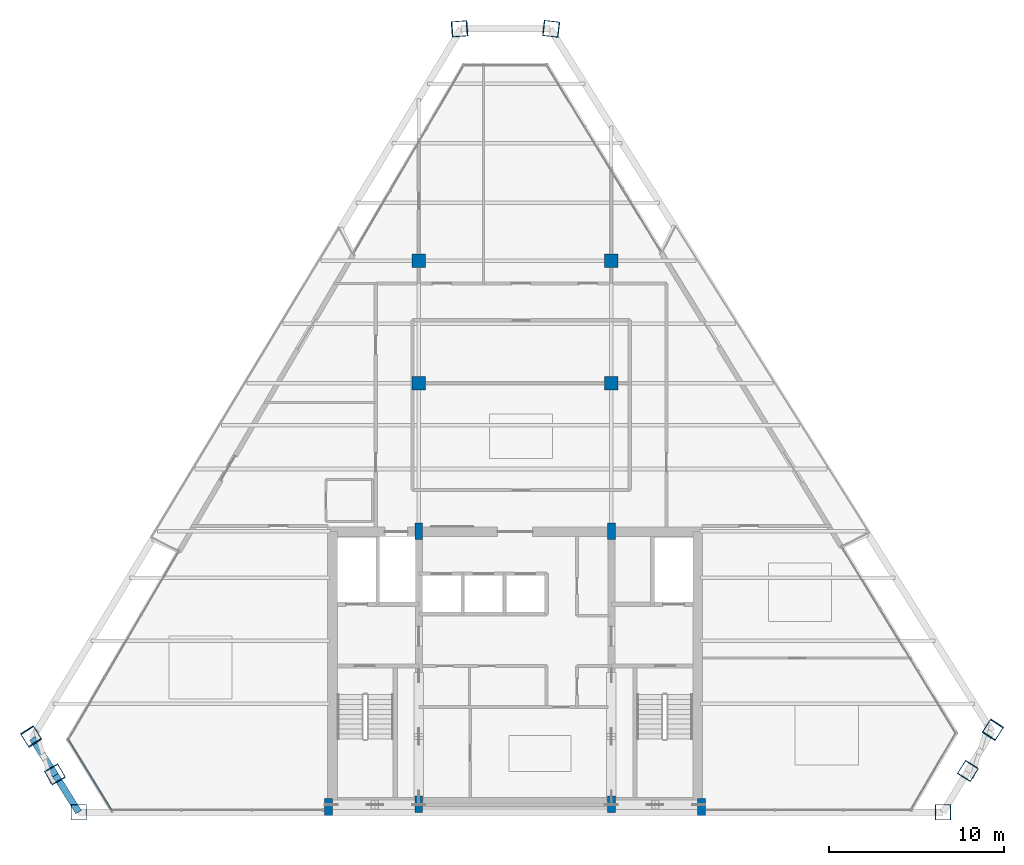
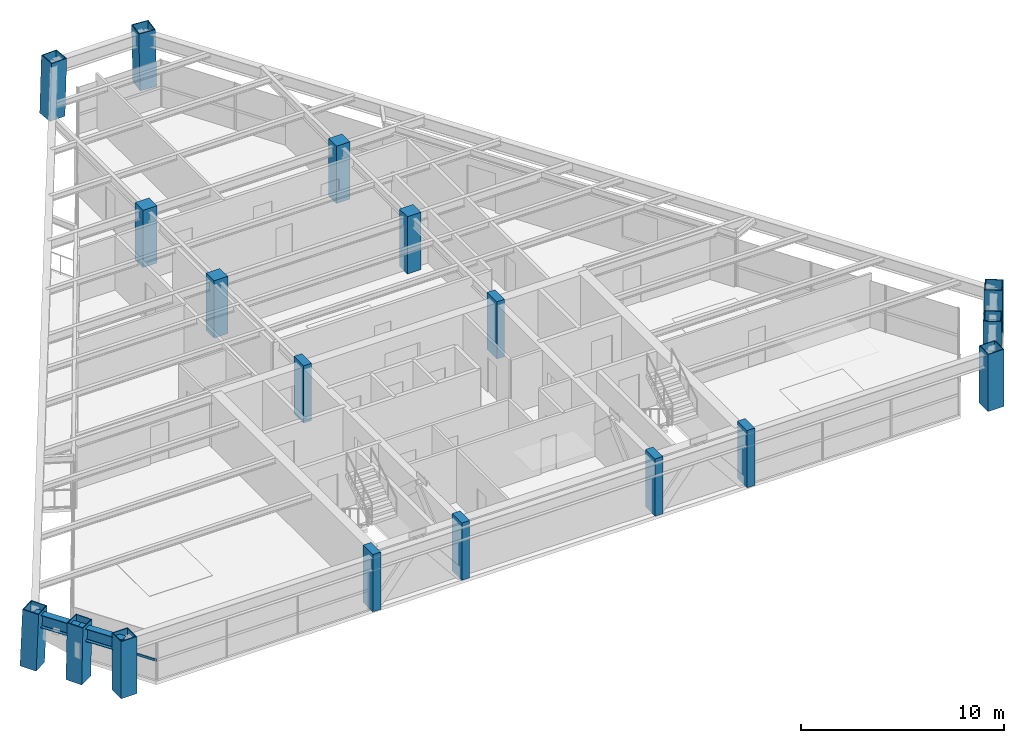
# One storey, part 1 of 13: 18 columns, 2 beams, 1 member, 1 element without a shape of its own.
"""IFC4 building model written with IfcOpenShell, lengths in metres."""

from ifc_helpers import new_model, si_unit, direction, frame, origin, origin_2d, place, context, subcontext, project, spatial, rectangle, hollow_rectangle, i_section, extrude, source, transform, mapped, material, material_profile, profile_set, type_object, element, aggregate, save


model = new_model("IFC4")

# Units and contexts
model_context = context("Model", 3, precision=1e-05, world=origin(), true_north=direction((0.0, 1.0)))
body_context = subcontext(model_context, "Body", "Model", "MODEL_VIEW")
ifc_project = project(units=[si_unit("LENGTHUNIT", "METRE"), si_unit("AREAUNIT", "SQUARE_METRE"), si_unit("VOLUMEUNIT", "CUBIC_METRE"), si_unit("PLANEANGLEUNIT", "RADIAN"), si_unit("MASSUNIT", "GRAM", prefix="KILO")], contexts=[model_context])

# Site, building, storey
site_placement = place(None, origin())
site = spatial("IfcSite", under=ifc_project, at=site_placement, CompositionType="ELEMENT")
building_placement = place(site_placement, origin())
building = spatial("IfcBuilding", under=site, at=building_placement, Name="Varnakhor Terracotta Tower", CompositionType="ELEMENT")
storey_placement = place(building_placement, frame((0.0, 0.0, 247.60009765625)))
storey = spatial("IfcBuildingStorey", under=building, at=storey_placement, Name="L64", CompositionType="ELEMENT", Elevation=247.60009765625)

# Columns
ifc_material_1 = material(Name="Concrete C50/60", Category="concrete")
ifc_material_profile_1 = material_profile(ifc_material_1, rectangle(XDim=0.449951171875, YDim=0.949951171875, at=origin_2d()), Name="RC PILASTER 950x450")
ifc_profile_set_1 = profile_set([ifc_material_profile_1], Name="Concrete C50/60")
column_type_1 = type_object("IfcColumnType", Name="COL-PIL-950x450", PredefinedType="PILASTER", material=ifc_profile_set_1)
shared_shape_1 = source(origin(), body_context, "Body", "SweptSolid", [
    extrude(rectangle(XDim=0.449951171875, YDim=0.949951171875, at=origin_2d()), origin(), (0.0, 0.0, 1.0), 3.449951171875),
])
for number, where, z_axis, x_axis, name in (
    (1, (-10.64990234375, 0.300048828125, 0.0), (0.0, 0.0, 1.0), (1.0, 0.0, 0.0), "L64 Core Pilaster CP1"),
    (2, (-5.5, 0.449951171875, 0.0), (0.0, 0.0, 1.0), (1.0, 0.0, 0.0), "L64 Core Pilaster CP2"),
    (3, (5.5, 0.449951171875, 0.0), (0.0, 0.0, 1.0), (1.0, 0.0, 0.0), "L64 Core Pilaster CP3"),
    (4, (10.64990234375, 0.300048828125, 0.0), (0.0, 0.0, 1.0), (1.0, 0.0, 0.0), "L64 Core Pilaster CP4"),
    (5, (-5.5, 16.050048828125, 0.0), (0.0, 0.0, 1.0), (1.0, 0.0, 0.0), "L64 Core Pilaster CP5"),
    (6, (5.5, 16.050048828125, 0.0), (0.0, 0.0, 1.0), (1.0, 0.0, 0.0), "L64 Core Pilaster CP6"),
):
    element("IfcColumn", number, at=place(storey_placement, frame(where, z_axis=z_axis, x_axis=x_axis)), inside=storey, type_object=column_type_1, Name=name, PredefinedType="PILASTER", context=body_context, shape_type="MappedRepresentation", body=[
        mapped(shared_shape_1, transform((0.0, 0.0, 0.0), scale=1.0)),
    ])
ifc_material_2 = material(Name="Steel S460", Category="steel")
ifc_material_profile_2 = material_profile(ifc_material_2, hollow_rectangle(XDim=0.89990234375, YDim=0.89990234375, WallThickness=0.044921875, at=origin_2d()), Name="BOX 900x900x45")
ifc_profile_set_2 = profile_set([ifc_material_profile_2], Name="Steel S460")
column_type_2 = type_object("IfcColumnType", Name="COL-MEGA-900", PredefinedType="COLUMN", material=ifc_profile_set_2)
shared_shape_2 = source(origin(), body_context, "Body", "SweptSolid", [
    extrude(hollow_rectangle(XDim=0.89990234375, YDim=0.89990234375, WallThickness=0.044921875, at=origin_2d()), origin(), (0.0, 0.0, 1.0), 3.441162109375),
])
for number, where, z_axis, x_axis, name in (
    (7, (-24.91455078125, 0.0, 0.00439453125), (-0.002057462832, 0.0, 0.999997883421), (0.0, -1.0, 0.0), "L64 Perimeter Mega-Column M1"),
    (8, (24.440185546875, 0.0, 0.00439453125), (0.000283788566, 0.0, 0.999999959732), (1.0, 0.0, 0.0), "L64 Perimeter Mega-Column M2"),
):
    element("IfcColumn", number, at=place(storey_placement, frame(where, z_axis=z_axis, x_axis=x_axis)), inside=storey, type_object=column_type_2, Name=name, PredefinedType="COLUMN", context=body_context, shape_type="MappedRepresentation", body=[
        mapped(shared_shape_2, transform((0.0, 0.0, 0.0), scale=1.0)),
    ])
shared_shape_3 = source(origin(), body_context, "Body", "SweptSolid", [
    extrude(hollow_rectangle(XDim=0.89990234375, YDim=0.89990234375, WallThickness=0.044921875, at=origin_2d()), origin(), (0.0, 0.0, 1.0), 3.44189453125),
])
for number, where, z_axis, x_axis, name in (
    (9, (25.87109375, 2.36279296875, 0.00439453125), (-0.010356360829, -0.016243881026, 0.999814423841), (0.843206334373, -0.537590064709, 0.0), "L64 Perimeter Mega-Column M3"),
    (10, (2.073486328125, 44.7373046875, 0.00439453125), (-0.020073944361, 0.002269845299, 0.999795921456), (-0.112358193036, -0.993667769658, 0.0), "L64 Perimeter Mega-Column M5"),
    (11, (-26.283447265625, 2.1708984375, 0.00439453125), (0.009930658923, -0.017094920004, 0.999804553762), (0.864688411716, 0.502308620914, 0.0), "L64 Perimeter Mega-Column M8"),
):
    element("IfcColumn", number, at=place(storey_placement, frame(where, z_axis=z_axis, x_axis=x_axis)), inside=storey, type_object=column_type_2, Name=name, PredefinedType="COLUMN", context=body_context, shape_type="MappedRepresentation", body=[
        mapped(shared_shape_3, transform((0.0, 0.0, 0.0), scale=1.0)),
    ])
shared_shape_4 = source(origin(), body_context, "Body", "SweptSolid", [
    extrude(hollow_rectangle(XDim=0.89990234375, YDim=0.89990234375, WallThickness=0.044921875, at=origin_2d()), origin(), (0.0, 0.0, 1.0), 3.44384765625),
])
column_1_placement = place(storey_placement, frame((27.302001953125, 4.7255859375, 0.00439453125), z_axis=(-0.020984655048, -0.032469500041, 0.999252408463), x_axis=(0.839865224945, -0.542794992541, 0.0)))
element("IfcColumn", 12, at=column_1_placement, inside=storey, type_object=column_type_2, Name="L64 Perimeter Mega-Column M4", PredefinedType="COLUMN", context=body_context, shape_type="MappedRepresentation", body=[
    mapped(shared_shape_4, transform((0.0, 0.0, 0.0), scale=1.0)),
])
shared_shape_5 = source(origin(), body_context, "Body", "SweptSolid", [
    extrude(hollow_rectangle(XDim=0.89990234375, YDim=0.89990234375, WallThickness=0.044921875, at=origin_2d()), origin(), (0.0, 0.0, 1.0), 3.444091796875),
])
column_2_placement = place(storey_placement, frame((-27.652099609375, 4.341796875, 0.00439453125), z_axis=(0.021833748865, -0.034168399198, 0.999177565754), x_axis=(0.842652191735, 0.538458247001, 0.0)))
element("IfcColumn", 13, at=column_2_placement, inside=storey, type_object=column_type_2, Name="L64 Perimeter Mega-Column M7", PredefinedType="COLUMN", context=body_context, shape_type="MappedRepresentation", body=[
    mapped(shared_shape_5, transform((0.0, 0.0, 0.0), scale=1.0)),
])
ifc_material_profile_3 = material_profile(ifc_material_1, rectangle(XDim=0.780029296875, YDim=0.780029296875, at=origin_2d()), Name="RC 780x780")
ifc_profile_set_3 = profile_set([ifc_material_profile_3], Name="Concrete C50/60")
column_type_3 = type_object("IfcColumnType", Name="COL-RC-780", PredefinedType="COLUMN", material=ifc_profile_set_3)
shared_shape_6 = source(origin(), body_context, "Body", "SweptSolid", [
    extrude(rectangle(XDim=0.780029296875, YDim=0.780029296875, at=origin_2d()), origin(), (0.0, 0.0, 1.0), 3.449951171875),
])
for number, where, z_axis, x_axis, name in (
    (14, (-5.5, 24.5, 0.0), (0.0, 0.0, 1.0), (1.0, 0.0, 0.0), "L64 Interior Tower Column IC1"),
    (15, (5.5, 24.5, 0.0), (0.0, 0.0, 1.0), (1.0, 0.0, 0.0), "L64 Interior Tower Column IC2"),
    (16, (-5.5, 31.5, 0.0), (0.0, 0.0, 1.0), (1.0, 0.0, 0.0), "L64 Interior Tower Column IC3"),
    (17, (5.5, 31.5, 0.0), (0.0, 0.0, 1.0), (1.0, 0.0, 0.0), "L64 Interior Tower Column IC4"),
):
    element("IfcColumn", number, at=place(storey_placement, frame(where, z_axis=z_axis, x_axis=x_axis)), inside=storey, type_object=column_type_3, Name=name, PredefinedType="COLUMN", context=body_context, shape_type="MappedRepresentation", body=[
        mapped(shared_shape_6, transform((0.0, 0.0, 0.0), scale=1.0)),
    ])
shared_shape_7 = source(origin(), body_context, "Body", "SweptSolid", [
    extrude(hollow_rectangle(XDim=0.89990234375, YDim=0.89990234375, WallThickness=0.044921875, at=origin_2d()), origin(), (0.0, 0.0, 1.0), 3.442626953125),
])
column_3_placement = place(storey_placement, frame((-3.18798828125, 44.7373046875, 0.00439453125), z_axis=(0.029642797837, 0.002269305098, 0.999557979704), x_axis=(-0.076331673253, 0.997082481873, 0.0)))
element("IfcColumn", 18, at=column_3_placement, inside=storey, type_object=column_type_2, Name="L64 Perimeter Mega-Column M6", PredefinedType="COLUMN", context=body_context, shape_type="MappedRepresentation", body=[
    mapped(shared_shape_7, transform((0.0, 0.0, 0.0), scale=1.0)),
])

# Beams
ifc_material_3 = material(Name="Steel S355", Category="steel")
ifc_material_profile_4 = material_profile(ifc_material_3, i_section(OverallWidth=0.381103515625, OverallDepth=0.77294921875, WebThickness=0.01708984375, FlangeThickness=0.027099609375, FilletRadius=0.01806640625, at=origin_2d()), Name="W30X173")
ifc_profile_set_4 = profile_set([ifc_material_profile_4], Name="Steel S355")
beam_type = type_object("IfcBeamType", Name="BM-W30X173", PredefinedType="BEAM", material=ifc_profile_set_4)
shared_shape_8 = source(origin(), body_context, "Body", "SweptSolid", [
    extrude(i_section(OverallWidth=0.381103515625, OverallDepth=0.77294921875, WebThickness=0.01708984375, FlangeThickness=0.027099609375, FilletRadius=0.01806640625, at=origin_2d()), origin(), (0.0, 0.0, 1.0), 2.49462890625),
])
for number, where, z_axis, x_axis, name in (
    (19, (-27.576904296875, 4.22412109375, 2.853515625), (0.532187579109, -0.846626470554, 0.0), (0.846626470554, 0.532187579109, 0.0), "L64 Perimeter Spandrel 7"),
    (20, (-26.249267578125, 2.112060546875, 2.853515625), (0.532187579109, -0.846626470554, 0.0), (0.846626470554, 0.532187579109, 0.0), "L64 Perimeter Spandrel 8"),
):
    element("IfcBeam", number, at=place(storey_placement, frame(where, z_axis=z_axis, x_axis=x_axis)), inside=storey, type_object=beam_type, Name=name, PredefinedType="BEAM", context=body_context, shape_type="MappedRepresentation", body=[
        mapped(shared_shape_8, transform((0.0, 0.0, 0.0), scale=1.0)),
    ])

# Curtain wall, member
ifc_material_4 = material(Name="Anodised Aluminium Curtain Wall System", Category="aluminium")
curtain_wall_type = type_object("IfcCurtainWallType", Name="CW-SYS-HOTEL-LOGGIA", PredefinedType="NOTDEFINED", material=ifc_material_4)
curtain_wall_placement = place(storey_placement, origin())
curtain_wall = element("IfcCurtainWall", 21, at=curtain_wall_placement, inside=storey, type_object=curtain_wall_type, Name="L64 Facet Curtain Wall 6", PredefinedType="NOTDEFINED")
ifc_material_5 = material(Name="Anodised Aluminium 6063-T6", Category="aluminium")
ifc_material_profile_5 = material_profile(ifc_material_5, rectangle(XDim=0.06494140625, YDim=0.14501953125, at=origin_2d()), Name="ALU TRANSOM 65x145")
ifc_profile_set_5 = profile_set([ifc_material_profile_5], Name="Anodised Aluminium 6063-T6")
member_type = type_object("IfcMemberType", Name="CWT-04", PredefinedType="USERDEFINED", material=ifc_profile_set_5)
shared_shape_9 = source(origin(), body_context, "Body", "SweptSolid", [
    extrude(rectangle(XDim=0.06494140625, YDim=0.14501953125, at=origin_2d()), origin(), (0.0, 0.0, 1.0), 4.80810546875),
])
member_placement = place(storey_placement, frame((-23.017822265625, 0.08837890625, 1.184326171875), z_axis=(-0.522337002641, 0.852739148669, 0.0), x_axis=(-0.852739148669, -0.522337002641, 0.0)))
member = element("IfcMember", 22, at=member_placement, type_object=member_type, Name="L64 Facet Curtain Wall 6 Transom 1", ObjectType="TRANSOM", PredefinedType="USERDEFINED", context=body_context, shape_type="MappedRepresentation", body=[
    mapped(shared_shape_9, transform((0.0, 0.0, 0.0), scale=1.0)),
])
aggregate(curtain_wall, [member])

save(model, "model.ifc")
